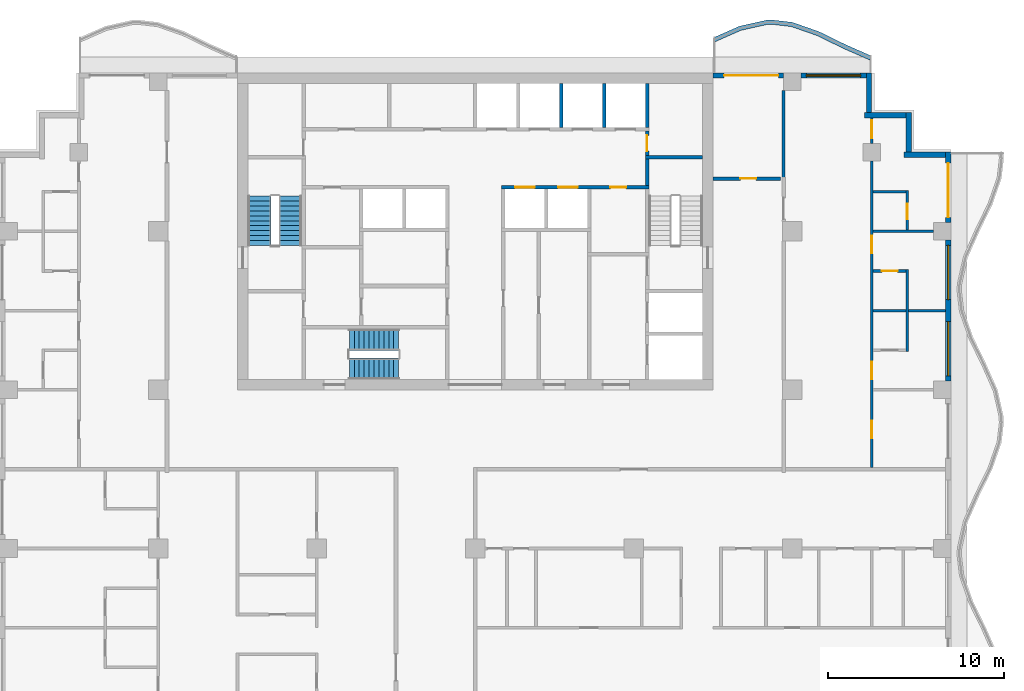
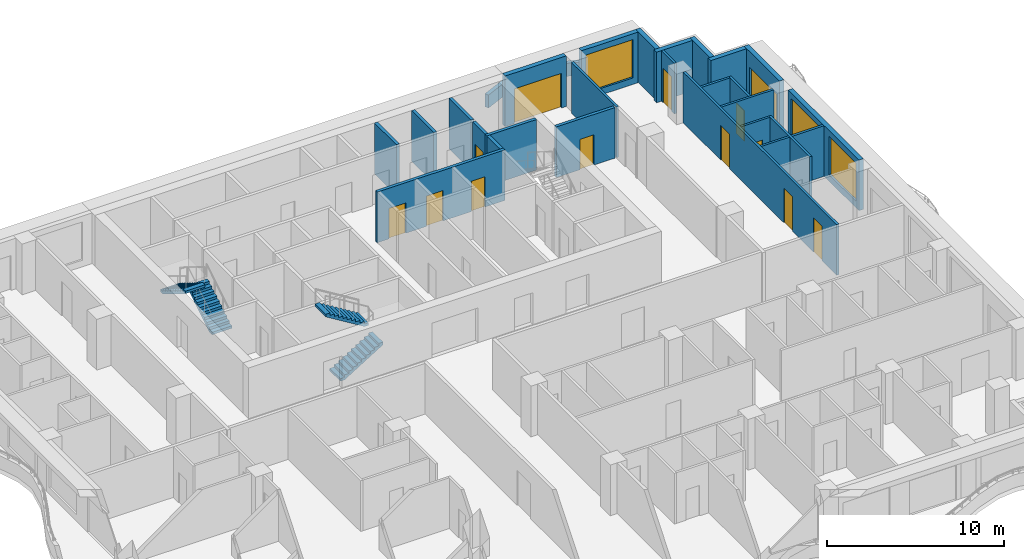
# One storey, part 7 of 12: 27 walls, 13 doors, 4 stair flights, 3 windows, 16 openings, 2 elements without a shape of their own.
"""IFC4 building model written with IfcOpenShell, lengths in metres."""

from ifc_helpers import new_model, si_unit, direction, frame, frame_2d, origin, place, context, subcontext, project, spatial, polyline, rectangle, outline, extrude, material, layer, layer_set, type_object, element, fill, aggregate, save


model = new_model("IFC4")

# Units and contexts
model_context = context("Model", 3, precision=1e-05, world=origin(), true_north=direction((0.0, 1.0)))
body_context = subcontext(model_context, "Body", "Model", "MODEL_VIEW")
ifc_project = project(units=[si_unit("LENGTHUNIT", "METRE"), si_unit("AREAUNIT", "SQUARE_METRE"), si_unit("VOLUMEUNIT", "CUBIC_METRE"), si_unit("PLANEANGLEUNIT", "RADIAN"), si_unit("MASSUNIT", "GRAM", prefix="KILO")], contexts=[model_context])

# Site, building, storey
site_placement = place(None, origin())
site = spatial("IfcSite", under=ifc_project, at=site_placement, CompositionType="ELEMENT")
building_placement = place(site_placement, origin())
building = spatial("IfcBuilding", under=site, at=building_placement, Name="Orbiselva Terraces", CompositionType="ELEMENT")
storey_placement = place(building_placement, frame((0.0, 0.0, 207.2)))
storey = spatial("IfcBuildingStorey", under=building, at=storey_placement, Name="L52", CompositionType="ELEMENT", Elevation=207.2)

# Wall, opening, door
ifc_material_1 = material(Name="Masonry blockwork", Category="masonry")
ifc_layer_1 = layer(ifc_material_1, 0.2)
ifc_layer_set_1 = layer_set([ifc_layer_1], Name="Masonry blockwork")
wall_type_1 = type_object("IfcWallType", Name="CORE-WALL-PARTITION-200", PredefinedType="PARTITIONING", material=ifc_layer_set_1)
wall_1_placement = place(storey_placement, frame((9.75, 19.2, 0.0), z_axis=(0.0, 0.0, 1.0), x_axis=(0.0, -1.0, 0.0)))
wall_1 = element("IfcWall", 1, at=wall_1_placement, inside=storey, type_object=wall_type_1, Name="L52 core wall 48", PredefinedType="PARTITIONING", context=body_context, shape_type="SweptSolid", body=[
    extrude(rectangle(XDim=1.4, YDim=0.2, at=frame_2d((0.7, 0.0))), origin(), (0.0, 0.0, 1.0), 3.5),
])
opening_1_placement = place(wall_1_placement, frame((0.25, 0.0, 0.0)))
opening_1 = element("IfcOpeningElement", 2, at=opening_1_placement, cuts=wall_1, Name="Opening DR900", PredefinedType="OPENING", context=body_context, shape_type="SweptSolid", body=[
    extrude(rectangle(XDim=0.9, YDim=2.1, at=frame_2d((0.45, 1.05))), frame((0.0, 0.11, 0.0), z_axis=(0.0, -1.0, 0.0), x_axis=(1.0, 0.0, 0.0)), (0.0, 0.0, 1.0), 0.22),
])
ifc_material_2 = material(Name="Steel fire door", Category="steel")
door_type_1 = type_object("IfcDoorType", Name="ROOM DOOR 900", OperationType="NOTDEFINED", PredefinedType="DOOR", material=ifc_material_2)
door_1_placement = place(opening_1_placement, origin())
door_1 = element("IfcDoor", 3, at=door_1_placement, inside=storey, type_object=door_type_1, Name="L52 COMMS RISER ROOM door", OperationType="SINGLE_SWING_RIGHT", OverallHeight=2.1, OverallWidth=0.9, PredefinedType="DOOR", context=body_context, shape_type="SweptSolid", body=[
    extrude(rectangle(XDim=0.9, YDim=2.1, at=frame_2d((0.45, 1.05))), frame((0.0, 0.025, 0.0), z_axis=(0.0, -1.0, 0.0), x_axis=(1.0, 0.0, 0.0)), (0.0, 0.0, 1.0), 0.05),
])
fill(opening_1, door_1)

# Walls
ifc_material_3 = material(Name="Concrete C40/50", Category="concrete")
ifc_layer_2 = layer(ifc_material_3, 0.2)
ifc_layer_set_2 = layer_set([ifc_layer_2], Name="Concrete C40/50")
wall_type_2 = type_object("IfcWallType", Name="CORE-WALL-SHAFT-200", PredefinedType="PARTITIONING", material=ifc_layer_set_2)
for number, where, z_axis, x_axis, name in (
    (4, (4.875, 19.4, 0.0), (0.0, 0.0, 1.0), (0.0, 1.0, 0.0), "L52 core wall 34"),
    (5, (7.3125, 19.4, 0.0), (0.0, 0.0, 1.0), (0.0, 1.0, 0.0), "L52 core wall 39"),
    (6, (9.75, 19.4, 0.0), (0.0, 0.0, 1.0), (0.0, 1.0, 0.0), "L52 core wall 49"),
):
    element("IfcWall", number, at=place(storey_placement, frame(where, z_axis=z_axis, x_axis=x_axis)), inside=storey, type_object=wall_type_2, Name=name, PredefinedType="PARTITIONING", context=body_context, shape_type="SweptSolid", body=[
        extrude(rectangle(XDim=2.5, YDim=0.2, at=frame_2d((1.25, 0.0))), origin(), (0.0, 0.0, 1.0), 3.5),
    ])

# Wall, openings, doors
ifc_material_4 = material(Name="Concrete C60/75", Category="concrete")
ifc_layer_3 = layer(ifc_material_4, 0.2)
ifc_layer_set_3 = layer_set([ifc_layer_3], Name="Concrete C60/75")
wall_type_3 = type_object("IfcWallType", Name="CORE-WALL-SHEAR-200", PredefinedType="SHEAR", material=ifc_layer_set_3)
wall_2_placement = place(storey_placement, frame((9.85, 16.0, 0.0), z_axis=(0.0, 0.0, 1.0), x_axis=(-1.0, 0.0, 0.0)))
wall_2 = element("IfcWall", 7, at=wall_2_placement, inside=storey, type_object=wall_type_3, Name="L52 core wall 30", PredefinedType="SHEAR", context=body_context, shape_type="SweptSolid", body=[
    extrude(rectangle(XDim=8.35, YDim=0.2, at=frame_2d((4.175, 0.0))), origin(), (0.0, 0.0, 1.0), 3.5),
])
opening_2_placement = place(wall_2_placement, frame((6.48125, 0.0, 0.0)))
opening_2 = element("IfcOpeningElement", 8, at=opening_2_placement, cuts=wall_2, Name="Opening LD-HR5", PredefinedType="OPENING", context=body_context, shape_type="SweptSolid", body=[
    extrude(rectangle(XDim=1.1, YDim=2.1, at=frame_2d((0.55, 1.05))), frame((0.0, 0.11, 0.0), z_axis=(0.0, -1.0, 0.0), x_axis=(1.0, 0.0, 0.0)), (0.0, 0.0, 1.0), 0.22),
])
opening_3_placement = place(wall_2_placement, frame((4.04375, 0.0, 0.0)))
opening_3 = element("IfcOpeningElement", 9, at=opening_3_placement, cuts=wall_2, Name="Opening LD-HR6", PredefinedType="OPENING", context=body_context, shape_type="SweptSolid", body=[
    extrude(rectangle(XDim=1.1, YDim=2.1, at=frame_2d((0.55, 1.05))), frame((0.0, 0.11, 0.0), z_axis=(0.0, -1.0, 0.0), x_axis=(1.0, 0.0, 0.0)), (0.0, 0.0, 1.0), 0.22),
])
opening_4_placement = place(wall_2_placement, frame((1.2875, 0.0, 0.0)))
opening_4 = element("IfcOpeningElement", 10, at=opening_4_placement, cuts=wall_2, Name="Opening DR900", PredefinedType="OPENING", context=body_context, shape_type="SweptSolid", body=[
    extrude(rectangle(XDim=0.9, YDim=2.1, at=frame_2d((0.45, 1.05))), frame((0.0, 0.11, 0.0), z_axis=(0.0, -1.0, 0.0), x_axis=(1.0, 0.0, 0.0)), (0.0, 0.0, 1.0), 0.22),
])
ifc_material_5 = material(Name="Stainless steel landing door", Category="steel")
door_type_2 = type_object("IfcDoorType", Name="LANDING DOOR 1100", OperationType="SLIDING_TO_LEFT", PredefinedType="DOOR", material=ifc_material_5)
door_2_placement = place(opening_2_placement, origin())
door_2 = element("IfcDoor", 11, at=door_2_placement, inside=storey, type_object=door_type_2, Name="L52 landing door HR5", OperationType="SLIDING_TO_RIGHT", OverallHeight=2.1, OverallWidth=1.1, PredefinedType="DOOR", context=body_context, shape_type="SweptSolid", body=[
    extrude(rectangle(XDim=1.1, YDim=2.1, at=frame_2d((0.55, 1.05))), frame((0.0, 0.025, 0.0), z_axis=(0.0, -1.0, 0.0), x_axis=(1.0, 0.0, 0.0)), (0.0, 0.0, 1.0), 0.05),
])
fill(opening_2, door_2)
door_3_placement = place(opening_3_placement, origin())
door_3 = element("IfcDoor", 12, at=door_3_placement, inside=storey, type_object=door_type_2, Name="L52 landing door HR6", OperationType="SLIDING_TO_RIGHT", OverallHeight=2.1, OverallWidth=1.1, PredefinedType="DOOR", context=body_context, shape_type="SweptSolid", body=[
    extrude(rectangle(XDim=1.1, YDim=2.1, at=frame_2d((0.55, 1.05))), frame((0.0, 0.025, 0.0), z_axis=(0.0, -1.0, 0.0), x_axis=(1.0, 0.0, 0.0)), (0.0, 0.0, 1.0), 0.05),
])
fill(opening_3, door_3)
door_4_placement = place(opening_4_placement, origin())
door_4 = element("IfcDoor", 13, at=door_4_placement, inside=storey, type_object=door_type_1, Name="L52 PIPE RISER ROOM door", OperationType="SINGLE_SWING_LEFT", OverallHeight=2.1, OverallWidth=0.9, PredefinedType="DOOR", context=body_context, shape_type="SweptSolid", body=[
    extrude(rectangle(XDim=0.9, YDim=2.1, at=frame_2d((0.45, 1.05))), frame((0.0, 0.025, 0.0), z_axis=(0.0, -1.0, 0.0), x_axis=(1.0, 0.0, 0.0)), (0.0, 0.0, 1.0), 0.05),
])
fill(opening_4, door_4)

# Walls
wall_3_placement = place(storey_placement, frame((9.75, 16.1, 0.0), z_axis=(0.0, 0.0, 1.0), x_axis=(0.0, 1.0, 0.0)))
element("IfcWall", 14, at=wall_3_placement, inside=storey, type_object=wall_type_3, Name="L52 core wall 46", PredefinedType="SHEAR", context=body_context, shape_type="SweptSolid", body=[
    extrude(rectangle(XDim=1.5, YDim=0.2, at=frame_2d((0.75, 0.0))), origin(), (0.0, 0.0, 1.0), 3.5),
])
wall_4_placement = place(storey_placement, frame((9.65, 17.7, 0.0), z_axis=(0.0, 0.0, 1.0), x_axis=(1.0, 0.0, 0.0)))
element("IfcWall", 15, at=wall_4_placement, inside=storey, type_object=wall_type_3, Name="L52 core wall 47", PredefinedType="SHEAR", context=body_context, shape_type="SweptSolid", body=[
    extrude(rectangle(XDim=3.25, YDim=0.2, at=frame_2d((1.625, 0.0))), origin(), (0.0, 0.0, 1.0), 3.5),
])
ifc_layer_4 = layer(ifc_material_3, 0.25)
ifc_layer_set_4 = layer_set([ifc_layer_4], Name="Concrete C40/50")
wall_type_4 = type_object("IfcWallType", Name="ENV-PLANTER-250x900", PredefinedType="USERDEFINED", material=ifc_layer_set_4)
wall_5_placement = place(storey_placement, origin())
element("IfcWall", 16, at=wall_5_placement, inside=storey, type_object=wall_type_4, Name="Balcony planter L52 NE", ObjectType="PLANTER", PredefinedType="USERDEFINED", context=body_context, shape_type="SweptSolid", body=[
    extrude(outline(polyline([(22.5, 23.451472), (21.0, 24.112279), (19.5, 24.844789), (18.0, 25.369208), (16.875, 25.5), (16.5, 25.485226), (15.0, 25.148528), (13.5, 24.487721), (13.600788, 24.258938), (15.078508, 24.90993), (16.532565, 25.236315), (16.865428, 25.249429), (17.943629, 25.124078), (19.40356, 24.613667), (20.894714, 23.885477), (22.399212, 23.222689), (22.5, 23.451472)])), origin(), (0.0, 0.0, 1.0), 0.9),
])

# Wall, openings, windows
ifc_material_6 = material(Name="Terracotta cladding on masonry backing", Category="masonry")
ifc_layer_5 = layer(ifc_material_6, 0.3)
ifc_layer_set_5 = layer_set([ifc_layer_5], Name="Terracotta cladding on masonry backing")
wall_type_5 = type_object("IfcWallType", Name="ENV-WALL-TERRACOTTA-300", PredefinedType="SOLIDWALL", material=ifc_layer_set_5)
wall_6_placement = place(storey_placement, frame((26.85, 13.0, 0.0), z_axis=(0.0, 0.0, 1.0), x_axis=(0.0, -1.0, 0.0)))
wall_6 = element("IfcWall", 17, at=wall_6_placement, inside=storey, type_object=wall_type_5, Name="Facade wall L52 E", PredefinedType="SOLIDWALL", context=body_context, shape_type="SweptSolid", body=[
    extrude(rectangle(XDim=8.0, YDim=0.3, at=frame_2d((4.0, 0.0))), origin(), (0.0, 0.0, 1.0), 3.5),
])
opening_5_placement = place(wall_6_placement, frame((4.625, 0.0, 0.45)))
opening_5 = element("IfcOpeningElement", 18, at=opening_5_placement, cuts=wall_6, Name="Opening WN15", PredefinedType="OPENING", context=body_context, shape_type="SweptSolid", body=[
    extrude(rectangle(XDim=3.075, YDim=2.65, at=frame_2d((1.5375, 1.325))), frame((0.0, 0.16, 0.0), z_axis=(0.0, -1.0, 0.0), x_axis=(1.0, 0.0, 0.0)), (0.0, 0.0, 1.0), 0.32),
])
opening_6_placement = place(wall_6_placement, frame((0.3, 0.0, 0.45)))
opening_6 = element("IfcOpeningElement", 19, at=opening_6_placement, cuts=wall_6, Name="Opening WN15", PredefinedType="OPENING", context=body_context, shape_type="SweptSolid", body=[
    extrude(rectangle(XDim=3.075, YDim=2.65, at=frame_2d((1.5375, 1.325))), frame((0.0, 0.16, 0.0), z_axis=(0.0, -1.0, 0.0), x_axis=(1.0, 0.0, 0.0)), (0.0, 0.0, 1.0), 0.32),
])
ifc_material_7 = material(Name="Clear low-e glazing in aluminium frame", Category="aluminium")
window_type = type_object("IfcWindowType", Name="WINDOW 3075 X 2650 S450", PartitioningType="TRIPLE_PANEL_VERTICAL", PredefinedType="WINDOW", material=ifc_material_7)
window_1_placement = place(opening_5_placement, origin())
window_1 = element("IfcWindow", 20, at=window_1_placement, inside=storey, type_object=window_type, Name="Window L52 E", OverallHeight=2.65, OverallWidth=3.075, PartitioningType="SINGLE_PANEL", PredefinedType="WINDOW", context=body_context, shape_type="SweptSolid", body=[
    extrude(rectangle(XDim=3.075, YDim=2.65, at=frame_2d((1.5375, 1.325))), frame((0.0, 0.03, 0.0), z_axis=(0.0, -1.0, 0.0), x_axis=(1.0, 0.0, 0.0)), (0.0, 0.0, 1.0), 0.06),
])
fill(opening_5, window_1)
window_2_placement = place(opening_6_placement, origin())
window_2 = element("IfcWindow", 21, at=window_2_placement, inside=storey, type_object=window_type, Name="Window L52 E", OverallHeight=2.65, OverallWidth=3.075, PartitioningType="SINGLE_PANEL", PredefinedType="WINDOW", context=body_context, shape_type="SweptSolid", body=[
    extrude(rectangle(XDim=3.075, YDim=2.65, at=frame_2d((1.5375, 1.325))), frame((0.0, 0.03, 0.0), z_axis=(0.0, -1.0, 0.0), x_axis=(1.0, 0.0, 0.0)), (0.0, 0.0, 1.0), 0.06),
])
fill(opening_6, window_2)

# Wall, opening, door
wall_7_placement = place(storey_placement, frame((26.85, 18.0, 0.0), z_axis=(0.0, 0.0, 1.0), x_axis=(0.0, -1.0, 0.0)))
wall_7 = element("IfcWall", 22, at=wall_7_placement, inside=storey, type_object=wall_type_5, Name="Facade wall L52 E", PredefinedType="SOLIDWALL", context=body_context, shape_type="SweptSolid", body=[
    extrude(rectangle(XDim=4.0, YDim=0.3, at=frame_2d((2.0, 0.0))), origin(), (0.0, 0.0, 1.0), 3.5),
])
opening_7_placement = place(wall_7_placement, frame((0.625, 0.0, 0.0)))
opening_7 = element("IfcOpeningElement", 23, at=opening_7_placement, cuts=wall_7, Name="Opening Z4-C-E07", PredefinedType="OPENING", context=body_context, shape_type="SweptSolid", body=[
    extrude(rectangle(XDim=3.075, YDim=2.4, at=frame_2d((1.5375, 1.2))), frame((0.0, 0.16, 0.0), z_axis=(0.0, -1.0, 0.0), x_axis=(1.0, 0.0, 0.0)), (0.0, 0.0, 1.0), 0.32),
])
door_type_3 = type_object("IfcDoorType", Name="BALCONY DOOR 3075 X 2400", OperationType="DOUBLE_DOOR_SLIDING", PredefinedType="DOOR", material=ifc_material_7)
door_5_placement = place(opening_7_placement, origin())
door_5 = element("IfcDoor", 24, at=door_5_placement, inside=storey, type_object=door_type_3, Name="Z4-C-E07", OperationType="SINGLE_SWING_LEFT", OverallHeight=2.4, OverallWidth=3.075, PredefinedType="DOOR", context=body_context, shape_type="SweptSolid", body=[
    extrude(rectangle(XDim=3.075, YDim=2.4, at=frame_2d((1.5375, 1.2))), frame((0.0, 0.025, 0.0), z_axis=(0.0, -1.0, 0.0), x_axis=(1.0, 0.0, 0.0)), (0.0, 0.0, 1.0), 0.05),
])
fill(opening_7, door_5)

# Walls
wall_8_placement = place(storey_placement, frame((24.35, 17.85, 0.0), z_axis=(0.0, 0.0, 1.0), x_axis=(1.0, 0.0, 0.0)))
element("IfcWall", 25, at=wall_8_placement, inside=storey, type_object=wall_type_5, Name="Facade wall L52 STEP", PredefinedType="SOLIDWALL", context=body_context, shape_type="SweptSolid", body=[
    extrude(rectangle(XDim=2.35, YDim=0.3, at=frame_2d((1.175, 0.0))), origin(), (0.0, 0.0, 1.0), 3.5),
])
wall_9_placement = place(storey_placement, frame((24.6, 20.25, 0.0), z_axis=(0.0, 0.0, 1.0), x_axis=(0.0, -1.0, 0.0)))
element("IfcWall", 26, at=wall_9_placement, inside=storey, type_object=wall_type_5, Name="Facade wall L52 STEP", PredefinedType="SOLIDWALL", context=body_context, shape_type="SweptSolid", body=[
    extrude(rectangle(XDim=2.25, YDim=0.3, at=frame_2d((1.125, 0.0))), origin(), (0.0, 0.0, 1.0), 3.5),
])
wall_10_placement = place(storey_placement, frame((22.1, 20.1, 0.0), z_axis=(0.0, 0.0, 1.0), x_axis=(1.0, 0.0, 0.0)))
element("IfcWall", 27, at=wall_10_placement, inside=storey, type_object=wall_type_5, Name="Facade wall L52 STEP", PredefinedType="SOLIDWALL", context=body_context, shape_type="SweptSolid", body=[
    extrude(rectangle(XDim=2.35, YDim=0.3, at=frame_2d((1.175, 0.0))), origin(), (0.0, 0.0, 1.0), 3.5),
])
wall_11_placement = place(storey_placement, frame((22.35, 22.5, 0.0), z_axis=(0.0, 0.0, 1.0), x_axis=(0.0, -1.0, 0.0)))
element("IfcWall", 28, at=wall_11_placement, inside=storey, type_object=wall_type_5, Name="Facade wall L52 STEP", PredefinedType="SOLIDWALL", context=body_context, shape_type="SweptSolid", body=[
    extrude(rectangle(XDim=2.25, YDim=0.3, at=frame_2d((1.125, 0.0))), origin(), (0.0, 0.0, 1.0), 3.5),
])

# Wall, opening, window
wall_12_placement = place(storey_placement, frame((18.5, 22.35, 0.0), z_axis=(0.0, 0.0, 1.0), x_axis=(1.0, 0.0, 0.0)))
wall_12 = element("IfcWall", 29, at=wall_12_placement, inside=storey, type_object=wall_type_5, Name="Facade wall L52 NE", PredefinedType="SOLIDWALL", context=body_context, shape_type="SweptSolid", body=[
    extrude(rectangle(XDim=3.7, YDim=0.3, at=frame_2d((1.85, 0.0))), origin(), (0.0, 0.0, 1.0), 3.5),
])
opening_8_placement = place(wall_12_placement, frame((0.3, 0.0, 0.45)))
opening_8 = element("IfcOpeningElement", 30, at=opening_8_placement, cuts=wall_12, Name="Opening WN15", PredefinedType="OPENING", context=body_context, shape_type="SweptSolid", body=[
    extrude(rectangle(XDim=3.075, YDim=2.65, at=frame_2d((1.5375, 1.325))), frame((0.0, 0.16, 0.0), z_axis=(0.0, -1.0, 0.0), x_axis=(1.0, 0.0, 0.0)), (0.0, 0.0, 1.0), 0.32),
])
window_3_placement = place(opening_8_placement, origin())
window_3 = element("IfcWindow", 31, at=window_3_placement, inside=storey, type_object=window_type, Name="Window L52 NE", OverallHeight=2.65, OverallWidth=3.075, PartitioningType="SINGLE_PANEL", PredefinedType="WINDOW", context=body_context, shape_type="SweptSolid", body=[
    extrude(rectangle(XDim=3.075, YDim=2.65, at=frame_2d((1.5375, 1.325))), frame((0.0, 0.03, 0.0), z_axis=(0.0, -1.0, 0.0), x_axis=(1.0, 0.0, 0.0)), (0.0, 0.0, 1.0), 0.06),
])
fill(opening_8, window_3)

# Wall, opening, door
wall_13_placement = place(storey_placement, frame((13.5, 22.35, 0.0), z_axis=(0.0, 0.0, 1.0), x_axis=(1.0, 0.0, 0.0)))
wall_13 = element("IfcWall", 32, at=wall_13_placement, inside=storey, type_object=wall_type_5, Name="Facade wall L52 NE", PredefinedType="SOLIDWALL", context=body_context, shape_type="SweptSolid", body=[
    extrude(rectangle(XDim=4.0, YDim=0.3, at=frame_2d((2.0, 0.0))), origin(), (0.0, 0.0, 1.0), 3.5),
])
opening_9_placement = place(wall_13_placement, frame((0.625, 0.0, 0.0)))
opening_9 = element("IfcOpeningElement", 33, at=opening_9_placement, cuts=wall_13, Name="Opening Z4-C-E08", PredefinedType="OPENING", context=body_context, shape_type="SweptSolid", body=[
    extrude(rectangle(XDim=3.075, YDim=2.4, at=frame_2d((1.5375, 1.2))), frame((0.0, 0.16, 0.0), z_axis=(0.0, -1.0, 0.0), x_axis=(1.0, 0.0, 0.0)), (0.0, 0.0, 1.0), 0.32),
])
door_6_placement = place(opening_9_placement, origin())
door_6 = element("IfcDoor", 34, at=door_6_placement, inside=storey, type_object=door_type_3, Name="Z4-C-E08", OperationType="SINGLE_SWING_LEFT", OverallHeight=2.4, OverallWidth=3.075, PredefinedType="DOOR", context=body_context, shape_type="SweptSolid", body=[
    extrude(rectangle(XDim=3.075, YDim=2.4, at=frame_2d((1.5375, 1.2))), frame((0.0, 0.025, 0.0), z_axis=(0.0, -1.0, 0.0), x_axis=(1.0, 0.0, 0.0)), (0.0, 0.0, 1.0), 0.05),
])
fill(opening_9, door_6)

ifc_material_8 = material(Name="Plasterboard on steel stud partition", Category="steel")
ifc_layer_6 = layer(ifc_material_8, 0.2)
ifc_layer_set_6 = layer_set([ifc_layer_6], Name="Plasterboard on steel stud partition")
wall_type_6 = type_object("IfcWallType", Name="UNIT-ENTRANCE-WALL-200", PredefinedType="PARTITIONING", material=ifc_layer_set_6)
wall_14_placement = place(storey_placement, frame((13.5, 16.5, 0.0), z_axis=(0.0, 0.0, 1.0), x_axis=(1.0, 0.0, 0.0)))
wall_14 = element("IfcWall", 35, at=wall_14_placement, inside=storey, type_object=wall_type_6, Name="PARTITION L52-048", PredefinedType="PARTITIONING", context=body_context, shape_type="SweptSolid", body=[
    extrude(rectangle(XDim=3.825, YDim=0.2, at=frame_2d((1.9125, 0.0))), origin(), (0.0, 0.0, 1.0), 3.5),
])
opening_10_placement = place(wall_14_placement, frame((1.55, 0.0, 0.0)))
opening_10 = element("IfcOpeningElement", 36, at=opening_10_placement, cuts=wall_14, Name="Opening Z4-C-01", PredefinedType="OPENING", context=body_context, shape_type="SweptSolid", body=[
    extrude(rectangle(XDim=0.9, YDim=2.1, at=frame_2d((0.45, 1.05))), frame((0.0, 0.11, 0.0), z_axis=(0.0, -1.0, 0.0), x_axis=(1.0, 0.0, 0.0)), (0.0, 0.0, 1.0), 0.22),
])
ifc_material_9 = material(Name="Painted timber door leaf", Category="wood")
door_type_4 = type_object("IfcDoorType", Name="SERVICE DOOR 900", OperationType="NOTDEFINED", PredefinedType="DOOR", material=ifc_material_9)
door_7_placement = place(opening_10_placement, origin())
door_7 = element("IfcDoor", 37, at=door_7_placement, inside=storey, type_object=door_type_4, Name="Z4-C-01", OperationType="SINGLE_SWING_RIGHT", OverallHeight=2.1, OverallWidth=0.9, PredefinedType="DOOR", context=body_context, shape_type="SweptSolid", body=[
    extrude(rectangle(XDim=0.9, YDim=2.1, at=frame_2d((0.45, 1.05))), frame((0.0, 0.025, 0.0), z_axis=(0.0, -1.0, 0.0), x_axis=(1.0, 0.0, 0.0)), (0.0, 0.0, 1.0), 0.05),
])
fill(opening_10, door_7)

# Walls
ifc_layer_7 = layer(ifc_material_8, 0.15)
ifc_layer_set_7 = layer_set([ifc_layer_7], Name="Plasterboard on steel stud partition")
wall_type_7 = type_object("IfcWallType", Name="UNIT-PARTITION-150", PredefinedType="PARTITIONING", material=ifc_layer_set_7)
wall_15_placement = place(storey_placement, frame((22.575, 9.0, 0.0), z_axis=(0.0, 0.0, 1.0), x_axis=(1.0, 0.0, 0.0)))
element("IfcWall", 38, at=wall_15_placement, inside=storey, type_object=wall_type_7, Name="PARTITION L52-039", PredefinedType="PARTITIONING", context=body_context, shape_type="SweptSolid", body=[
    extrude(rectangle(XDim=1.875, YDim=0.15, at=frame_2d((0.9375, 0.0))), origin(), (0.0, 0.0, 1.0), 3.5),
])
wall_16_placement = place(storey_placement, frame((24.6, 9.0, 0.0), z_axis=(0.0, 0.0, 1.0), x_axis=(1.0, 0.0, 0.0)))
element("IfcWall", 39, at=wall_16_placement, inside=storey, type_object=wall_type_7, Name="PARTITION L52-040", PredefinedType="PARTITIONING", context=body_context, shape_type="SweptSolid", body=[
    extrude(rectangle(XDim=2.1, YDim=0.15, at=frame_2d((1.05, 0.0))), origin(), (0.0, 0.0, 1.0), 3.5),
])

# Wall, opening, door
wall_17_placement = place(storey_placement, frame((24.45, 11.25, 0.0), z_axis=(0.0, 0.0, 1.0), x_axis=(-1.0, 0.0, 0.0)))
wall_17 = element("IfcWall", 40, at=wall_17_placement, inside=storey, type_object=wall_type_7, Name="PARTITION L52-042", PredefinedType="PARTITIONING", context=body_context, shape_type="SweptSolid", body=[
    extrude(rectangle(XDim=1.875, YDim=0.15, at=frame_2d((0.9375, 0.0))), origin(), (0.0, 0.0, 1.0), 3.5),
])
opening_11_placement = place(wall_17_placement, frame((0.475, 0.0, 0.0)))
opening_11 = element("IfcOpeningElement", 41, at=opening_11_placement, cuts=wall_17, Name="Opening Z4-C-15", PredefinedType="OPENING", context=body_context, shape_type="SweptSolid", body=[
    extrude(rectangle(XDim=0.9, YDim=2.1, at=frame_2d((0.45, 1.05))), frame((0.0, 0.085, 0.0), z_axis=(0.0, -1.0, 0.0), x_axis=(1.0, 0.0, 0.0)), (0.0, 0.0, 1.0), 0.17),
])
door_type_5 = type_object("IfcDoorType", Name="BATH DOOR 900", OperationType="NOTDEFINED", PredefinedType="DOOR", material=ifc_material_9)
door_8_placement = place(opening_11_placement, origin())
door_8 = element("IfcDoor", 42, at=door_8_placement, inside=storey, type_object=door_type_5, Name="Z4-C-15", OperationType="SINGLE_SWING_LEFT", OverallHeight=2.1, OverallWidth=0.9, PredefinedType="DOOR", context=body_context, shape_type="SweptSolid", body=[
    extrude(rectangle(XDim=0.9, YDim=2.1, at=frame_2d((0.45, 1.05))), frame((0.0, 0.025, 0.0), z_axis=(0.0, -1.0, 0.0), x_axis=(1.0, 0.0, 0.0)), (0.0, 0.0, 1.0), 0.05),
])
fill(opening_11, door_8)

# Walls
wall_18_placement = place(storey_placement, frame((22.575, 13.5, 0.0), z_axis=(0.0, 0.0, 1.0), x_axis=(1.0, 0.0, 0.0)))
element("IfcWall", 43, at=wall_18_placement, inside=storey, type_object=wall_type_7, Name="PARTITION L52-045", PredefinedType="PARTITIONING", context=body_context, shape_type="SweptSolid", body=[
    extrude(rectangle(XDim=3.425, YDim=0.15, at=frame_2d((1.7125, 0.0))), origin(), (0.0, 0.0, 1.0), 3.5),
])
wall_19_placement = place(storey_placement, frame((22.575, 15.75, 0.0), z_axis=(0.0, 0.0, 1.0), x_axis=(1.0, 0.0, 0.0)))
element("IfcWall", 44, at=wall_19_placement, inside=storey, type_object=wall_type_7, Name="PARTITION L52-047", PredefinedType="PARTITIONING", context=body_context, shape_type="SweptSolid", body=[
    extrude(rectangle(XDim=1.875, YDim=0.15, at=frame_2d((0.9375, 0.0))), origin(), (0.0, 0.0, 1.0), 3.5),
])
wall_20_placement = place(storey_placement, frame((17.5, 16.4, 0.0), z_axis=(0.0, 0.0, 1.0), x_axis=(0.0, 1.0, 0.0)))
element("IfcWall", 45, at=wall_20_placement, inside=storey, type_object=wall_type_7, Name="PARTITION L52-088", PredefinedType="PARTITIONING", context=body_context, shape_type="SweptSolid", body=[
    extrude(rectangle(XDim=5.1, YDim=0.15, at=frame_2d((2.55, 0.0))), origin(), (0.0, 0.0, 1.0), 3.5),
])

# Wall, openings, doors
wall_21_placement = place(storey_placement, frame((22.5, 17.5, 0.0), z_axis=(0.0, 0.0, 1.0), x_axis=(0.0, -1.0, 0.0)))
wall_21 = element("IfcWall", 46, at=wall_21_placement, inside=storey, type_object=wall_type_7, Name="PARTITION L52-093", PredefinedType="PARTITIONING", context=body_context, shape_type="SweptSolid", body=[
    extrude(rectangle(XDim=17.4, YDim=0.15, at=frame_2d((8.7, 0.0))), origin(), (0.0, 0.0, 1.0), 3.5),
])
opening_12_placement = place(wall_21_placement, frame((14.75, 0.0, 0.0)))
opening_12 = element("IfcOpeningElement", 47, at=opening_12_placement, cuts=wall_21, Name="Opening Z4-C-11", PredefinedType="OPENING", context=body_context, shape_type="SweptSolid", body=[
    extrude(rectangle(XDim=1.0, YDim=2.4, at=frame_2d((0.5, 1.2))), frame((0.0, 0.085, 0.0), z_axis=(0.0, -1.0, 0.0), x_axis=(1.0, 0.0, 0.0)), (0.0, 0.0, 1.0), 0.17),
])
opening_13_placement = place(wall_21_placement, frame((11.4, 0.0, 0.0)))
opening_13 = element("IfcOpeningElement", 48, at=opening_13_placement, cuts=wall_21, Name="Opening Z4-C-12", PredefinedType="OPENING", context=body_context, shape_type="SweptSolid", body=[
    extrude(rectangle(XDim=1.0, YDim=2.4, at=frame_2d((0.5, 1.2))), frame((0.0, 0.085, 0.0), z_axis=(0.0, -1.0, 0.0), x_axis=(1.0, 0.0, 0.0)), (0.0, 0.0, 1.0), 0.17),
])
opening_14_placement = place(wall_21_placement, frame((4.25, 0.0, 0.0)))
opening_14 = element("IfcOpeningElement", 49, at=opening_14_placement, cuts=wall_21, Name="Opening Z4-C-14", PredefinedType="OPENING", context=body_context, shape_type="SweptSolid", body=[
    extrude(rectangle(XDim=1.0, YDim=2.4, at=frame_2d((0.5, 1.2))), frame((0.0, 0.085, 0.0), z_axis=(0.0, -1.0, 0.0), x_axis=(1.0, 0.0, 0.0)), (0.0, 0.0, 1.0), 0.17),
])
door_type_6 = type_object("IfcDoorType", Name="ROOM DOOR 1000", OperationType="NOTDEFINED", PredefinedType="DOOR", material=ifc_material_9)
door_9_placement = place(opening_12_placement, origin())
door_9 = element("IfcDoor", 50, at=door_9_placement, inside=storey, type_object=door_type_6, Name="Z4-C-11", OperationType="SINGLE_SWING_RIGHT", OverallHeight=2.4, OverallWidth=1.0, PredefinedType="DOOR", context=body_context, shape_type="SweptSolid", body=[
    extrude(rectangle(XDim=1.0, YDim=2.4, at=frame_2d((0.5, 1.2))), frame((0.0, 0.025, 0.0), z_axis=(0.0, -1.0, 0.0), x_axis=(1.0, 0.0, 0.0)), (0.0, 0.0, 1.0), 0.05),
])
fill(opening_12, door_9)
door_10_placement = place(opening_13_placement, origin())
door_10 = element("IfcDoor", 51, at=door_10_placement, inside=storey, type_object=door_type_6, Name="Z4-C-12", OperationType="SINGLE_SWING_RIGHT", OverallHeight=2.4, OverallWidth=1.0, PredefinedType="DOOR", context=body_context, shape_type="SweptSolid", body=[
    extrude(rectangle(XDim=1.0, YDim=2.4, at=frame_2d((0.5, 1.2))), frame((0.0, 0.025, 0.0), z_axis=(0.0, -1.0, 0.0), x_axis=(1.0, 0.0, 0.0)), (0.0, 0.0, 1.0), 0.05),
])
fill(opening_13, door_10)
door_11_placement = place(opening_14_placement, origin())
door_11 = element("IfcDoor", 52, at=door_11_placement, inside=storey, type_object=door_type_6, Name="Z4-C-14", OperationType="SINGLE_SWING_LEFT", OverallHeight=2.4, OverallWidth=1.0, PredefinedType="DOOR", context=body_context, shape_type="SweptSolid", body=[
    extrude(rectangle(XDim=1.0, YDim=2.4, at=frame_2d((0.5, 1.2))), frame((0.0, 0.025, 0.0), z_axis=(0.0, -1.0, 0.0), x_axis=(1.0, 0.0, 0.0)), (0.0, 0.0, 1.0), 0.05),
])
fill(opening_14, door_11)

# Wall, opening, door
wall_22_placement = place(storey_placement, frame((22.5, 19.95, 0.0), z_axis=(0.0, 0.0, 1.0), x_axis=(0.0, -1.0, 0.0)))
wall_22 = element("IfcWall", 53, at=wall_22_placement, inside=storey, type_object=wall_type_7, Name="PARTITION L52-094", PredefinedType="PARTITIONING", context=body_context, shape_type="SweptSolid", body=[
    extrude(rectangle(XDim=1.45, YDim=0.15, at=frame_2d((0.725, 0.0))), origin(), (0.0, 0.0, 1.0), 3.5),
])
opening_15_placement = place(wall_22_placement, frame((0.15, 0.0, 0.0)))
opening_15 = element("IfcOpeningElement", 54, at=opening_15_placement, cuts=wall_22, Name="Opening Z4-C-16", PredefinedType="OPENING", context=body_context, shape_type="SweptSolid", body=[
    extrude(rectangle(XDim=1.0, YDim=2.4, at=frame_2d((0.5, 1.2))), frame((0.0, 0.085, 0.0), z_axis=(0.0, -1.0, 0.0), x_axis=(1.0, 0.0, 0.0)), (0.0, 0.0, 1.0), 0.17),
])
door_12_placement = place(opening_15_placement, origin())
door_12 = element("IfcDoor", 55, at=door_12_placement, inside=storey, type_object=door_type_6, Name="Z4-C-16", OperationType="SINGLE_SWING_LEFT", OverallHeight=2.4, OverallWidth=1.0, PredefinedType="DOOR", context=body_context, shape_type="SweptSolid", body=[
    extrude(rectangle(XDim=1.0, YDim=2.4, at=frame_2d((0.5, 1.2))), frame((0.0, 0.025, 0.0), z_axis=(0.0, -1.0, 0.0), x_axis=(1.0, 0.0, 0.0)), (0.0, 0.0, 1.0), 0.05),
])
fill(opening_15, door_12)

# Wall
wall_23_placement = place(storey_placement, frame((24.525, 6.675, 0.0), z_axis=(0.0, 0.0, 1.0), x_axis=(0.0, 1.0, 0.0)))
element("IfcWall", 56, at=wall_23_placement, inside=storey, type_object=wall_type_7, Name="PARTITION L52-096", PredefinedType="PARTITIONING", context=body_context, shape_type="SweptSolid", body=[
    extrude(rectangle(XDim=4.65, YDim=0.15, at=frame_2d((2.325, 0.0))), origin(), (0.0, 0.0, 1.0), 3.5),
])

# Wall, opening, door
wall_24_placement = place(storey_placement, frame((24.525, 13.575, 0.0), z_axis=(0.0, 0.0, 1.0), x_axis=(0.0, 1.0, 0.0)))
wall_24 = element("IfcWall", 57, at=wall_24_placement, inside=storey, type_object=wall_type_7, Name="PARTITION L52-097", PredefinedType="PARTITIONING", context=body_context, shape_type="SweptSolid", body=[
    extrude(rectangle(XDim=2.25, YDim=0.15, at=frame_2d((1.125, 0.0))), origin(), (0.0, 0.0, 1.0), 3.5),
])
opening_16_placement = place(wall_24_placement, frame((0.6, 0.0, 0.0)))
opening_16 = element("IfcOpeningElement", 58, at=opening_16_placement, cuts=wall_24, Name="Opening Z4-C-17", PredefinedType="OPENING", context=body_context, shape_type="SweptSolid", body=[
    extrude(rectangle(XDim=0.9, YDim=2.1, at=frame_2d((0.45, 1.05))), frame((0.0, 0.085, 0.0), z_axis=(0.0, -1.0, 0.0), x_axis=(1.0, 0.0, 0.0)), (0.0, 0.0, 1.0), 0.17),
])
door_13_placement = place(opening_16_placement, origin())
door_13 = element("IfcDoor", 59, at=door_13_placement, inside=storey, type_object=door_type_5, Name="Z4-C-17", OperationType="SINGLE_SWING_LEFT", OverallHeight=2.1, OverallWidth=0.9, PredefinedType="DOOR", context=body_context, shape_type="SweptSolid", body=[
    extrude(rectangle(XDim=0.9, YDim=2.1, at=frame_2d((0.45, 1.05))), frame((0.0, 0.025, 0.0), z_axis=(0.0, -1.0, 0.0), x_axis=(1.0, 0.0, 0.0)), (0.0, 0.0, 1.0), 0.05),
])
fill(opening_16, door_13)

# Stair, stair flights
stair_type_1 = type_object("IfcStairType", Name="CORE-STAIR-1200", PredefinedType="HALF_TURN_STAIR", material=ifc_material_3)
stair_1_placement = place(storey_placement, origin())
stair_1 = element("IfcStair", 60, at=stair_1_placement, inside=storey, type_object=stair_type_1, Name="L52 Exit Stair S3", PredefinedType="HALF_TURN_STAIR")
stair_flight_type_1 = type_object("IfcStairFlightType", Name="CORE-STAIR-FLIGHT-1200", PredefinedType="STRAIGHT", material=ifc_material_3)
stair_flight_1_placement = place(storey_placement, frame((-7.15, 5.7, 0.0), z_axis=(0.0, 0.0, 1.0), x_axis=(1.0, 0.0, 0.0)))
stair_flight_1 = element("IfcStairFlight", 61, at=stair_flight_1_placement, type_object=stair_flight_type_1, Name="S3 flight 1", NumberOfRisers=11, NumberOfTreads=10, PredefinedType="STRAIGHT", RiserHeight=0.172727273, TreadLength=0.28, context=body_context, shape_type="SweptSolid", body=[
    extrude(outline(polyline([(0.0, 0.0), (0.0, 0.172727), (0.28, 0.172727), (0.28, 0.345455), (0.56, 0.345455), (0.56, 0.518182), (0.84, 0.518182), (0.84, 0.690909), (1.12, 0.690909), (1.12, 0.863636), (1.4, 0.863636), (1.4, 1.036364), (1.68, 1.036364), (1.68, 1.209091), (1.96, 1.209091), (1.96, 1.381818), (2.24, 1.381818), (2.24, 1.554545), (2.52, 1.554545), (2.52, 1.727273), (2.8, 1.727273), (2.8, 1.9), (2.8, 1.551028), (0.285702, 0.0), (0.0, 0.0)])), frame((0.0, 0.6, 0.0), z_axis=(0.0, -1.0, 0.0), x_axis=(1.0, 0.0, 0.0)), (0.0, 0.0, 1.0), 1.2),
])
stair_flight_2_placement = place(storey_placement, frame((-4.35, 7.35, 1.9), z_axis=(0.0, 0.0, 1.0), x_axis=(-1.0, 0.0, 0.0)))
stair_flight_2 = element("IfcStairFlight", 62, at=stair_flight_2_placement, type_object=stair_flight_type_1, Name="S3 flight 2", NumberOfRisers=11, NumberOfTreads=10, PredefinedType="STRAIGHT", RiserHeight=0.172727273, TreadLength=0.28, context=body_context, shape_type="SweptSolid", body=[
    extrude(outline(polyline([(0.0, 0.0), (0.0, 0.172727), (0.28, 0.172727), (0.28, 0.345455), (0.56, 0.345455), (0.56, 0.518182), (0.84, 0.518182), (0.84, 0.690909), (1.12, 0.690909), (1.12, 0.863636), (1.4, 0.863636), (1.4, 1.036364), (1.68, 1.036364), (1.68, 1.209091), (1.96, 1.209091), (1.96, 1.381818), (2.24, 1.381818), (2.24, 1.554545), (2.52, 1.554545), (2.52, 1.727273), (2.8, 1.727273), (2.8, 1.9), (2.8, 1.551028), (0.285702, 0.0), (0.0, 0.0)])), frame((0.0, 0.6, 0.0), z_axis=(0.0, -1.0, 0.0), x_axis=(1.0, 0.0, 0.0)), (0.0, 0.0, 1.0), 1.2),
])
aggregate(stair_1, [stair_flight_1, stair_flight_2])

stair_type_2 = type_object("IfcStairType", Name="CORE-STAIR-1300", PredefinedType="HALF_TURN_STAIR", material=ifc_material_3)
stair_2_placement = place(storey_placement, origin())
stair_2 = element("IfcStair", 63, at=stair_2_placement, inside=storey, type_object=stair_type_2, Name="L52 Exit Stair S1", PredefinedType="HALF_TURN_STAIR")
stair_flight_type_2 = type_object("IfcStairFlightType", Name="CORE-STAIR-FLIGHT-1300", PredefinedType="STRAIGHT", material=ifc_material_3)
stair_flight_3_placement = place(storey_placement, frame((-10.5, 12.7, 0.0), z_axis=(0.0, 0.0, 1.0), x_axis=(0.0, 1.0, 0.0)))
stair_flight_3 = element("IfcStairFlight", 64, at=stair_flight_3_placement, type_object=stair_flight_type_2, Name="S1 flight 1", NumberOfRisers=11, NumberOfTreads=10, PredefinedType="STRAIGHT", RiserHeight=0.172727273, TreadLength=0.28, context=body_context, shape_type="SweptSolid", body=[
    extrude(outline(polyline([(0.0, 0.0), (0.0, 0.172727), (0.28, 0.172727), (0.28, 0.345455), (0.56, 0.345455), (0.56, 0.518182), (0.84, 0.518182), (0.84, 0.690909), (1.12, 0.690909), (1.12, 0.863636), (1.4, 0.863636), (1.4, 1.036364), (1.68, 1.036364), (1.68, 1.209091), (1.96, 1.209091), (1.96, 1.381818), (2.24, 1.381818), (2.24, 1.554545), (2.52, 1.554545), (2.52, 1.727273), (2.8, 1.727273), (2.8, 1.9), (2.8, 1.551028), (0.285702, 0.0), (0.0, 0.0)])), frame((0.0, 0.65, 0.0), z_axis=(0.0, -1.0, 0.0), x_axis=(1.0, 0.0, 0.0)), (0.0, 0.0, 1.0), 1.3),
])
stair_flight_4_placement = place(storey_placement, frame((-12.25, 15.5, 1.9), z_axis=(0.0, 0.0, 1.0), x_axis=(0.0, -1.0, 0.0)))
stair_flight_4 = element("IfcStairFlight", 65, at=stair_flight_4_placement, type_object=stair_flight_type_2, Name="S1 flight 2", NumberOfRisers=11, NumberOfTreads=10, PredefinedType="STRAIGHT", RiserHeight=0.172727273, TreadLength=0.28, context=body_context, shape_type="SweptSolid", body=[
    extrude(outline(polyline([(0.0, 0.0), (0.0, 0.172727), (0.28, 0.172727), (0.28, 0.345455), (0.56, 0.345455), (0.56, 0.518182), (0.84, 0.518182), (0.84, 0.690909), (1.12, 0.690909), (1.12, 0.863636), (1.4, 0.863636), (1.4, 1.036364), (1.68, 1.036364), (1.68, 1.209091), (1.96, 1.209091), (1.96, 1.381818), (2.24, 1.381818), (2.24, 1.554545), (2.52, 1.554545), (2.52, 1.727273), (2.8, 1.727273), (2.8, 1.9), (2.8, 1.551028), (0.285702, 0.0), (0.0, 0.0)])), frame((0.0, 0.65, 0.0), z_axis=(0.0, -1.0, 0.0), x_axis=(1.0, 0.0, 0.0)), (0.0, 0.0, 1.0), 1.3),
])
aggregate(stair_2, [stair_flight_3, stair_flight_4])

save(model, "model.ifc")
